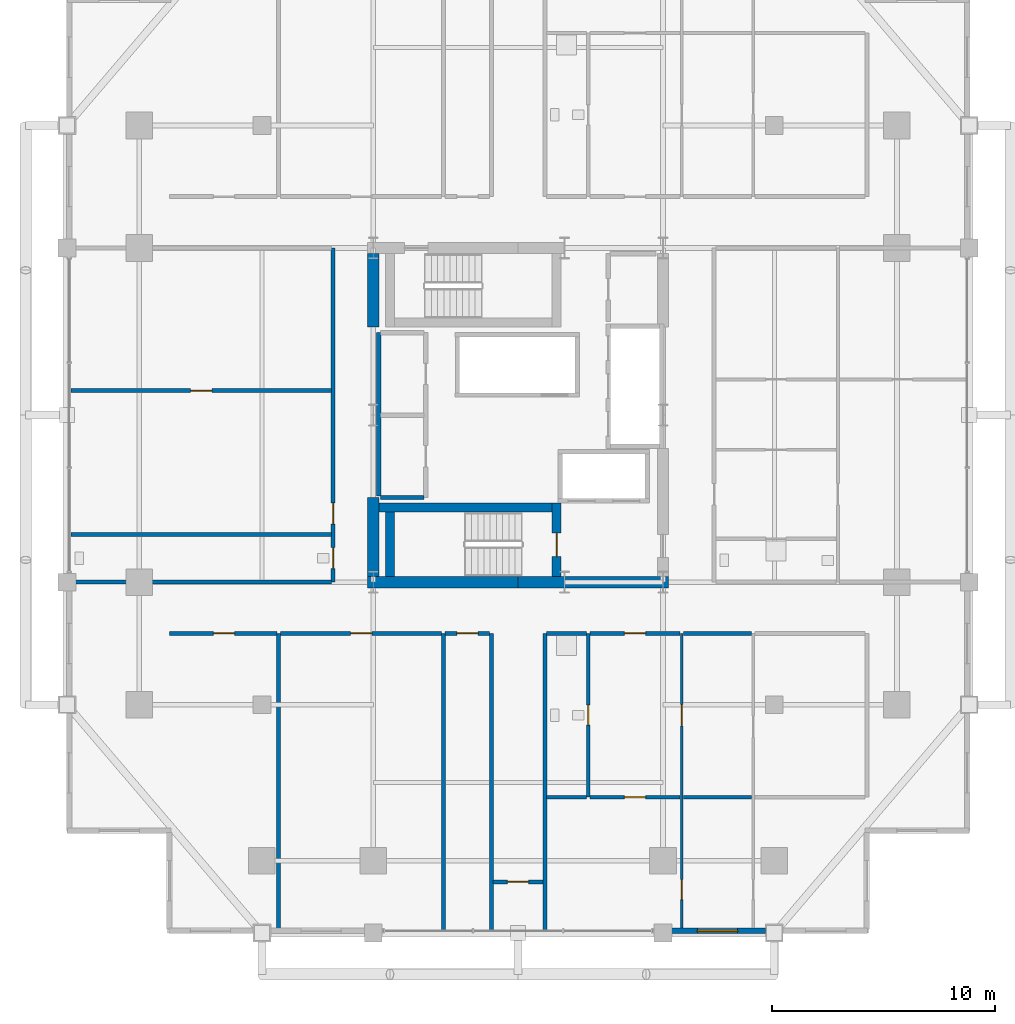
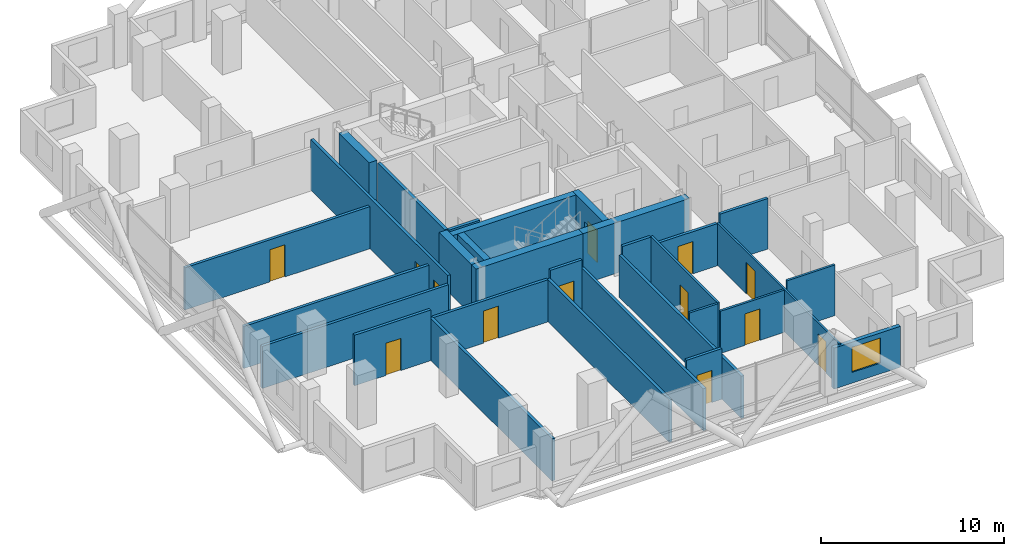
# One storey, part 19 of 24: 30 walls, 13 doors, 1 window, 14 openings.
"""IFC4 building model written with IfcOpenShell, lengths in metres."""

from ifc_helpers import new_model, si_unit, direction, frame, frame_2d, origin, place, context, subcontext, project, spatial, rectangle, extrude, material, layer, layer_set, type_object, element, fill, save


model = new_model("IFC4")

# Units and contexts
model_context = context("Model", 3, precision=1e-05, world=origin(), true_north=direction((0.0, 1.0)))
body_context = subcontext(model_context, "Body", "Model", "MODEL_VIEW")
ifc_project = project(units=[si_unit("LENGTHUNIT", "METRE"), si_unit("AREAUNIT", "SQUARE_METRE"), si_unit("VOLUMEUNIT", "CUBIC_METRE"), si_unit("PLANEANGLEUNIT", "RADIAN"), si_unit("MASSUNIT", "GRAM", prefix="KILO")], contexts=[model_context])

# Site, building, storey
site_placement = place(None, origin())
site = spatial("IfcSite", under=ifc_project, at=site_placement, CompositionType="ELEMENT")
building_placement = place(site_placement, origin())
building = spatial("IfcBuilding", under=site, at=building_placement, Name="Barlavira Tower and Art Museum", CompositionType="ELEMENT")
storey_placement = place(building_placement, frame((0.0, 0.0, 154.800048828125)))
storey = spatial("IfcBuildingStorey", under=building, at=storey_placement, Name="L39", CompositionType="ELEMENT", Elevation=154.800048828125)

# Wall, openings, doors
ifc_material_1 = material(Name="Gypsum acoustic stud partition", Category="gypsum")
ifc_layer_1 = layer(ifc_material_1, 0.1201171875, Name="Gypsum acoustic stud partition")
ifc_layer_set_1 = layer_set([ifc_layer_1], Name="Gypsum acoustic stud partition")
wall_type_1 = type_object("IfcWallType", Name="Apartment Internal Acoustic Partition 120", PredefinedType="PARTITIONING", material=ifc_layer_set_1)
wall_1_placement = place(storey_placement, frame((7.35009765625, -23.14990234375, 0.0), z_axis=(0.0, 0.0, 1.0), x_axis=(0.0, 1.0, 0.0)))
wall_1 = element("IfcWall", 1, at=wall_1_placement, inside=storey, type_object=wall_type_1, Name="L39 Partition Wall 15", PredefinedType="PARTITIONING", context=body_context, shape_type="SweptSolid", body=[
    extrude(rectangle(XDim=13.349853515625, YDim=0.1201171875, at=frame_2d((6.6748046875, 0.0))), origin(), (0.0, 0.0, 1.0), 2.81591796875),
])
opening_1_placement = place(wall_1_placement, frame((9.205078125, 0.0, 0.0)))
opening_1 = element("IfcOpeningElement", 2, at=opening_1_placement, cuts=wall_1, Name="Opening D-02", PredefinedType="OPENING", context=body_context, shape_type="SweptSolid", body=[
    extrude(rectangle(XDim=0.949951171875, YDim=2.10009765625, at=frame_2d((0.47509765625, 1.050048828125))), frame((0.0, 0.070068359375, 0.0), z_axis=(0.0, -1.0, 0.0), x_axis=(1.0, 0.0, 0.0)), (0.0, 0.0, 1.0), 0.14013671875),
])
opening_2_placement = place(wall_1_placement, frame((1.39892578125, 0.0, 0.0)))
opening_2 = element("IfcOpeningElement", 3, at=opening_2_placement, cuts=wall_1, Name="Opening D-01", PredefinedType="OPENING", context=body_context, shape_type="SweptSolid", body=[
    extrude(rectangle(XDim=0.89990234375, YDim=2.10009765625, at=frame_2d((0.449951171875, 1.050048828125))), frame((0.0, 0.070068359375, 0.0), z_axis=(0.0, -1.0, 0.0), x_axis=(1.0, 0.0, 0.0)), (0.0, 0.0, 1.0), 0.14013671875),
])
ifc_material_2 = material(Name="Engineered coastal hardwood", Category="wood")
door_type_1 = type_object("IfcDoorType", Name="Internal Bedroom Timber Flush Door 900x2100", OperationType="NOTDEFINED", PredefinedType="DOOR", material=ifc_material_2)
door_1_placement = place(opening_2_placement, origin())
door_1 = element("IfcDoor", 4, at=door_1_placement, inside=storey, type_object=door_type_1, Name="Apartment SE1 Bedroom 1 Door", OperationType="SINGLE_SWING_RIGHT", OverallHeight=2.10009765625, OverallWidth=0.89990234375, PredefinedType="DOOR", context=body_context, shape_type="SweptSolid", body=[
    extrude(rectangle(XDim=0.89990234375, YDim=2.10009765625, at=frame_2d((0.449951171875, 1.050048828125))), frame((0.0, 0.02490234375, 0.0), z_axis=(0.0, -1.0, 0.0), x_axis=(1.0, 0.0, 0.0)), (0.0, 0.0, 1.0), 0.050048828125),
])
fill(opening_2, door_1)
door_type_2 = type_object("IfcDoorType", Name="Living and Salon Glazed-Leaf Door 950x2100", OperationType="NOTDEFINED", PredefinedType="DOOR", material=ifc_material_2)
door_2_placement = place(opening_1_placement, origin())
door_2 = element("IfcDoor", 5, at=door_2_placement, inside=storey, type_object=door_type_2, Name="Apartment SE1 Kitchen Door", OperationType="SINGLE_SWING_LEFT", OverallHeight=2.10009765625, OverallWidth=0.949951171875, PredefinedType="DOOR", context=body_context, shape_type="SweptSolid", body=[
    extrude(rectangle(XDim=0.949951171875, YDim=2.10009765625, at=frame_2d((0.47509765625, 1.050048828125))), frame((0.0, 0.02490234375, 0.0), z_axis=(0.0, -1.0, 0.0), x_axis=(1.0, 0.0, 0.0)), (0.0, 0.0, 1.0), 0.050048828125),
])
fill(opening_1, door_2)

# Walls
ifc_material_3 = material(Name="Concrete C60", Category="concrete")
ifc_layer_2 = layer(ifc_material_3, 0.5, Name="Concrete C60")
ifc_layer_set_2 = layer_set([ifc_layer_2], Name="Concrete C60")
wall_type_2 = type_object("IfcWallType", Name="Core Structural Shear Wall 500 Concrete C60", PredefinedType="SHEAR", material=ifc_layer_set_2)
for number, where, z_axis, x_axis, name in (
    (6, (-6.75, -7.5, 0.0), (0.0, 0.0, 1.0), (1.0, 0.0, 0.0), "L39 Core Shear Wall CS-SW"),
    (7, (0.0, -7.5, 0.0), (0.0, 0.0, 1.0), (1.0, 0.0, 0.0), "L39 Core Shear Wall CS-SE"),
):
    element("IfcWall", number, at=place(storey_placement, frame(where, z_axis=z_axis, x_axis=x_axis)), inside=storey, type_object=wall_type_2, Name=name, PredefinedType="SHEAR", context=body_context, shape_type="SweptSolid", body=[
        extrude(rectangle(XDim=6.75, YDim=0.5, at=frame_2d((3.375, 0.0))), origin(), (0.0, 0.0, 1.0), 3.3798828125),
    ])
wall_2_placement = place(storey_placement, frame((-6.5, -7.25, 0.0), z_axis=(0.0, 0.0, 1.0), x_axis=(0.0, 1.0, 0.0)))
element("IfcWall", 8, at=wall_2_placement, inside=storey, type_object=wall_type_2, Name="L39 Core Shear Wall CS-W1", PredefinedType="SHEAR", context=body_context, shape_type="SweptSolid", body=[
    extrude(rectangle(XDim=3.550048828125, YDim=0.5, at=frame_2d((1.77490234375, 0.0))), origin(), (0.0, 0.0, 1.0), 3.3798828125),
])
wall_3_placement = place(storey_placement, frame((-6.5, 3.949951171875, 0.0), z_axis=(0.0, 0.0, 1.0), x_axis=(0.0, 1.0, 0.0)))
element("IfcWall", 9, at=wall_3_placement, inside=storey, type_object=wall_type_2, Name="L39 Core Shear Wall CS-W2", PredefinedType="SHEAR", context=body_context, shape_type="SweptSolid", body=[
    extrude(rectangle(XDim=3.300048828125, YDim=0.5, at=frame_2d((1.64990234375, 0.0))), origin(), (0.0, 0.0, 1.0), 3.3798828125),
])
ifc_material_4 = material(Name="Autoclaved aerated concrete masonry", Category="masonry")
ifc_layer_3 = layer(ifc_material_4, 0.199951171875, Name="Autoclaved aerated concrete masonry")
ifc_layer_set_3 = layer_set([ifc_layer_3], Name="Autoclaved aerated concrete masonry")
wall_type_3 = type_object("IfcWallType", Name="Fire Compartment and Shaft Wall 200", PredefinedType="SOLIDWALL", material=ifc_layer_set_3)
wall_4_placement = place(storey_placement, frame((-6.25, -3.639892578125, 0.0), z_axis=(0.0, 0.0, 1.0), x_axis=(0.0, 1.0, 0.0)))
element("IfcWall", 10, at=wall_4_placement, inside=storey, type_object=wall_type_3, Name="L39 Partition Wall 4", PredefinedType="SOLIDWALL", context=body_context, shape_type="SweptSolid", body=[
    extrude(rectangle(XDim=7.33984375, YDim=0.199951171875, at=frame_2d((3.669921875, 0.0))), origin(), (0.0, 0.0, 1.0), 3.3798828125),
])
wall_5_placement = place(storey_placement, frame((-6.169921875, -3.699951171875, 0.0), z_axis=(0.0, 0.0, 1.0), x_axis=(1.0, 0.0, 0.0)))
element("IfcWall", 11, at=wall_5_placement, inside=storey, type_object=wall_type_3, Name="L39 Partition Wall 40", PredefinedType="SOLIDWALL", context=body_context, shape_type="SweptSolid", body=[
    extrude(rectangle(XDim=1.93994140625, YDim=0.199951171875, at=frame_2d((0.969970703125, 0.0))), origin(), (0.0, 0.0, 1.0), 3.3798828125),
])
ifc_layer_4 = layer(ifc_material_1, 0.179931640625, Name="Gypsum acoustic stud partition")
ifc_layer_set_4 = layer_set([ifc_layer_4], Name="Gypsum acoustic stud partition")
wall_type_4 = type_object("IfcWallType", Name="Inter-Tenancy Party Partition Wall 180", PredefinedType="PARTITIONING", material=ifc_layer_set_4)
wall_6_placement = place(storey_placement, frame((-10.75, -23.14990234375, 0.0), z_axis=(0.0, 0.0, 1.0), x_axis=(0.0, 1.0, 0.0)))
element("IfcWall", 12, at=wall_6_placement, inside=storey, type_object=wall_type_4, Name="L39 Partition Wall 1", PredefinedType="PARTITIONING", context=body_context, shape_type="SweptSolid", body=[
    extrude(rectangle(XDim=13.349853515625, YDim=0.179931640625, at=frame_2d((6.6748046875, 0.0))), origin(), (0.0, 0.0, 1.0), 2.81591796875),
])

# Wall, openings, doors
wall_7_placement = place(storey_placement, frame((-8.300048828125, -7.5, 0.0), z_axis=(0.0, 0.0, 1.0), x_axis=(0.0, 1.0, 0.0)))
wall_7 = element("IfcWall", 13, at=wall_7_placement, inside=storey, type_object=wall_type_4, Name="L39 Partition Wall 3", PredefinedType="PARTITIONING", context=body_context, shape_type="SweptSolid", body=[
    extrude(rectangle(XDim=15.0, YDim=0.179931640625, at=frame_2d((7.5, 0.0))), origin(), (0.0, 0.0, 1.0), 3.3798828125),
])
opening_3_placement = place(wall_7_placement, frame((0.60498046875, 0.0, 0.0)))
opening_3 = element("IfcOpeningElement", 14, at=opening_3_placement, cuts=wall_7, Name="Opening FD-60", PredefinedType="OPENING", context=body_context, shape_type="SweptSolid", body=[
    extrude(rectangle(XDim=0.949951171875, YDim=2.14990234375, at=frame_2d((0.47509765625, 1.074951171875))), frame((0.0, 0.10009765625, 0.0), z_axis=(0.0, -1.0, 0.0), x_axis=(1.0, 0.0, 0.0)), (0.0, 0.0, 1.0), 0.199951171875),
])
opening_4_placement = place(wall_7_placement, frame((2.60498046875, 0.0, 0.0)))
opening_4 = element("IfcOpeningElement", 15, at=opening_4_placement, cuts=wall_7, Name="Opening FD-60", PredefinedType="OPENING", context=body_context, shape_type="SweptSolid", body=[
    extrude(rectangle(XDim=0.949951171875, YDim=2.14990234375, at=frame_2d((0.47509765625, 1.074951171875))), frame((0.0, 0.10009765625, 0.0), z_axis=(0.0, -1.0, 0.0), x_axis=(1.0, 0.0, 0.0)), (0.0, 0.0, 1.0), 0.199951171875),
])
ifc_material_5 = material(Name="Brushed stainless steel", Category="steel")
door_type_3 = type_object("IfcDoorType", Name="Apartment Entrance and Riser Fire Door 950x2150 FD60S", OperationType="NOTDEFINED", PredefinedType="DOOR", material=ifc_material_5)
door_3_placement = place(opening_3_placement, origin())
door_3 = element("IfcDoor", 16, at=door_3_placement, inside=storey, type_object=door_type_3, Name="Wellness Changing and Accessible Shower WC Door", OperationType="SINGLE_SWING_LEFT", OverallHeight=2.14990234375, OverallWidth=0.949951171875, PredefinedType="DOOR", context=body_context, shape_type="SweptSolid", body=[
    extrude(rectangle(XDim=0.949951171875, YDim=2.14990234375, at=frame_2d((0.47509765625, 1.074951171875))), frame((0.0, 0.02490234375, 0.0), z_axis=(0.0, -1.0, 0.0), x_axis=(1.0, 0.0, 0.0)), (0.0, 0.0, 1.0), 0.050048828125),
])
fill(opening_3, door_3)
door_4_placement = place(opening_4_placement, origin())
door_4 = element("IfcDoor", 17, at=door_4_placement, inside=storey, type_object=door_type_3, Name="Resident Ocean-View Fitness Studio Door", OperationType="SINGLE_SWING_RIGHT", OverallHeight=2.14990234375, OverallWidth=0.949951171875, PredefinedType="DOOR", context=body_context, shape_type="SweptSolid", body=[
    extrude(rectangle(XDim=0.949951171875, YDim=2.14990234375, at=frame_2d((0.47509765625, 1.074951171875))), frame((0.0, 0.02490234375, 0.0), z_axis=(0.0, -1.0, 0.0), x_axis=(1.0, 0.0, 0.0)), (0.0, 0.0, 1.0), 0.050048828125),
])
fill(opening_4, door_4)

# Walls
for number, where, z_axis, x_axis, name in (
    (18, (-3.35009765625, -23.14990234375, 0.0), (0.0, 0.0, 1.0), (0.0, 1.0, 0.0), "L39 Partition Wall 6"),
    (19, (-1.199951171875, -23.14990234375, 0.0), (0.0, 0.0, 1.0), (0.0, 1.0, 0.0), "L39 Partition Wall 8"),
    (20, (1.199951171875, -23.14990234375, 0.0), (0.0, 0.0, 1.0), (0.0, 1.0, 0.0), "L39 Partition Wall 10"),
):
    element("IfcWall", number, at=place(storey_placement, frame(where, z_axis=z_axis, x_axis=x_axis)), inside=storey, type_object=wall_type_4, Name=name, PredefinedType="PARTITIONING", context=body_context, shape_type="SweptSolid", body=[
        extrude(rectangle(XDim=13.349853515625, YDim=0.179931640625, at=frame_2d((6.6748046875, 0.0))), origin(), (0.0, 0.0, 1.0), 2.81591796875),
    ])

# Wall, opening, door
wall_8_placement = place(storey_placement, frame((-1.1201171875, -20.949951171875, 0.0), z_axis=(0.0, 0.0, 1.0), x_axis=(1.0, 0.0, 0.0)))
wall_8 = element("IfcWall", 21, at=wall_8_placement, inside=storey, type_object=wall_type_4, Name="L39 Partition Wall 23", PredefinedType="PARTITIONING", context=body_context, shape_type="SweptSolid", body=[
    extrude(rectangle(XDim=2.240234375, YDim=0.179931640625, at=frame_2d((1.1201171875, 0.0))), origin(), (0.0, 0.0, 1.0), 3.3798828125),
])
opening_5_placement = place(wall_8_placement, frame((0.64501953125, 0.0, 0.0)))
opening_5 = element("IfcOpeningElement", 22, at=opening_5_placement, cuts=wall_8, Name="Opening FD-60", PredefinedType="OPENING", context=body_context, shape_type="SweptSolid", body=[
    extrude(rectangle(XDim=0.949951171875, YDim=2.14990234375, at=frame_2d((0.47509765625, 1.074951171875))), frame((0.0, 0.10009765625, 0.0), z_axis=(0.0, -1.0, 0.0), x_axis=(1.0, 0.0, 0.0)), (0.0, 0.0, 1.0), 0.199951171875),
])
door_5_placement = place(opening_5_placement, origin())
door_5 = element("IfcDoor", 23, at=door_5_placement, inside=storey, type_object=door_type_3, Name="L39 South Horizon Reading Alcove Door", OperationType="SINGLE_SWING_LEFT", OverallHeight=2.14990234375, OverallWidth=0.949951171875, PredefinedType="DOOR", context=body_context, shape_type="SweptSolid", body=[
    extrude(rectangle(XDim=0.949951171875, YDim=2.14990234375, at=frame_2d((0.47509765625, 1.074951171875))), frame((0.0, 0.02490234375, 0.0), z_axis=(0.0, -1.0, 0.0), x_axis=(1.0, 0.0, 0.0)), (0.0, 0.0, 1.0), 0.050048828125),
])
fill(opening_5, door_5)

wall_9_placement = place(storey_placement, frame((-15.64990234375, -9.800048828125, 0.0), z_axis=(0.0, 0.0, 1.0), x_axis=(1.0, 0.0, 0.0)))
wall_9 = element("IfcWall", 24, at=wall_9_placement, inside=storey, type_object=wall_type_4, Name="L39 Partition Wall 28", PredefinedType="PARTITIONING", context=body_context, shape_type="SweptSolid", body=[
    extrude(rectangle(XDim=4.81982421875, YDim=0.179931640625, at=frame_2d((2.409912109375, 0.0))), origin(), (0.0, 0.0, 1.0), 3.3798828125),
])
opening_6_placement = place(wall_9_placement, frame((1.97509765625, 0.0, 0.0)))
opening_6 = element("IfcOpeningElement", 25, at=opening_6_placement, cuts=wall_9, Name="Opening FD-60", PredefinedType="OPENING", context=body_context, shape_type="SweptSolid", body=[
    extrude(rectangle(XDim=0.949951171875, YDim=2.14990234375, at=frame_2d((0.47509765625, 1.074951171875))), frame((0.0, 0.10009765625, 0.0), z_axis=(0.0, -1.0, 0.0), x_axis=(1.0, 0.0, 0.0)), (0.0, 0.0, 1.0), 0.199951171875),
])
door_6_placement = place(opening_6_placement, origin())
door_6 = element("IfcDoor", 26, at=door_6_placement, inside=storey, type_object=door_type_3, Name="Resident Sky Coworking Studio Door", OperationType="SINGLE_SWING_RIGHT", OverallHeight=2.14990234375, OverallWidth=0.949951171875, PredefinedType="DOOR", context=body_context, shape_type="SweptSolid", body=[
    extrude(rectangle(XDim=0.949951171875, YDim=2.14990234375, at=frame_2d((0.47509765625, 1.074951171875))), frame((0.0, 0.02490234375, 0.0), z_axis=(0.0, -1.0, 0.0), x_axis=(1.0, 0.0, 0.0)), (0.0, 0.0, 1.0), 0.050048828125),
])
fill(opening_6, door_6)

wall_10_placement = place(storey_placement, frame((-10.669921875, -9.800048828125, 0.0), z_axis=(0.0, 0.0, 1.0), x_axis=(1.0, 0.0, 0.0)))
wall_10 = element("IfcWall", 27, at=wall_10_placement, inside=storey, type_object=wall_type_4, Name="L39 Partition Wall 29", PredefinedType="PARTITIONING", context=body_context, shape_type="SweptSolid", body=[
    extrude(rectangle(XDim=7.239990234375, YDim=0.179931640625, at=frame_2d((3.6201171875, 0.0))), origin(), (0.0, 0.0, 1.0), 2.81591796875),
])
opening_7_placement = place(wall_10_placement, frame((3.155029296875, 0.0, 0.0)))
opening_7 = element("IfcOpeningElement", 28, at=opening_7_placement, cuts=wall_10, Name="Opening FD-60", PredefinedType="OPENING", context=body_context, shape_type="SweptSolid", body=[
    extrude(rectangle(XDim=0.949951171875, YDim=2.14990234375, at=frame_2d((0.47509765625, 1.074951171875))), frame((0.0, 0.10009765625, 0.0), z_axis=(0.0, -1.0, 0.0), x_axis=(1.0, 0.0, 0.0)), (0.0, 0.0, 1.0), 0.199951171875),
])
door_7_placement = place(opening_7_placement, origin())
door_7 = element("IfcDoor", 29, at=door_7_placement, inside=storey, type_object=door_type_3, Name="Atlantic Horizon Boardroom Door", OperationType="SINGLE_SWING_LEFT", OverallHeight=2.14990234375, OverallWidth=0.949951171875, PredefinedType="DOOR", context=body_context, shape_type="SweptSolid", body=[
    extrude(rectangle(XDim=0.949951171875, YDim=2.14990234375, at=frame_2d((0.47509765625, 1.074951171875))), frame((0.0, 0.02490234375, 0.0), z_axis=(0.0, -1.0, 0.0), x_axis=(1.0, 0.0, 0.0)), (0.0, 0.0, 1.0), 0.050048828125),
])
fill(opening_7, door_7)

wall_11_placement = place(storey_placement, frame((-3.27001953125, -9.800048828125, 0.0), z_axis=(0.0, 0.0, 1.0), x_axis=(1.0, 0.0, 0.0)))
wall_11 = element("IfcWall", 30, at=wall_11_placement, inside=storey, type_object=wall_type_4, Name="L39 Partition Wall 30", PredefinedType="PARTITIONING", context=body_context, shape_type="SweptSolid", body=[
    extrude(rectangle(XDim=1.989990234375, YDim=0.179931640625, at=frame_2d((0.9951171875, 0.0))), origin(), (0.0, 0.0, 1.0), 3.3798828125),
])
opening_8_placement = place(wall_11_placement, frame((0.52490234375, 0.0, 0.0)))
opening_8 = element("IfcOpeningElement", 31, at=opening_8_placement, cuts=wall_11, Name="Opening FD-60", PredefinedType="OPENING", context=body_context, shape_type="SweptSolid", body=[
    extrude(rectangle(XDim=0.949951171875, YDim=2.14990234375, at=frame_2d((0.47509765625, 1.074951171875))), frame((0.0, 0.10009765625, 0.0), z_axis=(0.0, -1.0, 0.0), x_axis=(1.0, 0.0, 0.0)), (0.0, 0.0, 1.0), 0.199951171875),
])
door_8_placement = place(opening_8_placement, origin())
door_8 = element("IfcDoor", 32, at=door_8_placement, inside=storey, type_object=door_type_3, Name="Shared Coworking Espresso Pantry Door", OperationType="SINGLE_SWING_RIGHT", OverallHeight=2.14990234375, OverallWidth=0.949951171875, PredefinedType="DOOR", context=body_context, shape_type="SweptSolid", body=[
    extrude(rectangle(XDim=0.949951171875, YDim=2.14990234375, at=frame_2d((0.47509765625, 1.074951171875))), frame((0.0, 0.02490234375, 0.0), z_axis=(0.0, -1.0, 0.0), x_axis=(1.0, 0.0, 0.0)), (0.0, 0.0, 1.0), 0.050048828125),
])
fill(opening_8, door_8)

# Wall
wall_12_placement = place(storey_placement, frame((1.280029296875, -9.800048828125, 0.0), z_axis=(0.0, 0.0, 1.0), x_axis=(1.0, 0.0, 0.0)))
element("IfcWall", 33, at=wall_12_placement, inside=storey, type_object=wall_type_4, Name="L39 Partition Wall 31", PredefinedType="PARTITIONING", context=body_context, shape_type="SweptSolid", body=[
    extrude(rectangle(XDim=1.7900390625, YDim=0.179931640625, at=frame_2d((0.89501953125, 0.0))), origin(), (0.0, 0.0, 1.0), 3.3798828125),
])

# Wall, opening, door
wall_13_placement = place(storey_placement, frame((3.22998046875, -9.800048828125, 0.0), z_axis=(0.0, 0.0, 1.0), x_axis=(1.0, 0.0, 0.0)))
wall_13 = element("IfcWall", 34, at=wall_13_placement, inside=storey, type_object=wall_type_4, Name="L39 Partition Wall 32", PredefinedType="PARTITIONING", context=body_context, shape_type="SweptSolid", body=[
    extrude(rectangle(XDim=4.0400390625, YDim=0.179931640625, at=frame_2d((2.02001953125, 0.0))), origin(), (0.0, 0.0, 1.0), 2.81591796875),
])
opening_9_placement = place(wall_13_placement, frame((1.544921875, 0.0, 0.0)))
opening_9 = element("IfcOpeningElement", 35, at=opening_9_placement, cuts=wall_13, Name="Opening FD-60", PredefinedType="OPENING", context=body_context, shape_type="SweptSolid", body=[
    extrude(rectangle(XDim=0.949951171875, YDim=2.14990234375, at=frame_2d((0.47509765625, 1.074951171875))), frame((0.0, 0.10009765625, 0.0), z_axis=(0.0, -1.0, 0.0), x_axis=(1.0, 0.0, 0.0)), (0.0, 0.0, 1.0), 0.199951171875),
])
door_9_placement = place(opening_9_placement, origin())
door_9 = element("IfcDoor", 36, at=door_9_placement, inside=storey, type_object=door_type_3, Name="Apartment Entrance Hall SE1 Door", OperationType="SINGLE_SWING_RIGHT", OverallHeight=2.14990234375, OverallWidth=0.949951171875, PredefinedType="DOOR", context=body_context, shape_type="SweptSolid", body=[
    extrude(rectangle(XDim=0.949951171875, YDim=2.14990234375, at=frame_2d((0.47509765625, 1.074951171875))), frame((0.0, 0.02490234375, 0.0), z_axis=(0.0, -1.0, 0.0), x_axis=(1.0, 0.0, 0.0)), (0.0, 0.0, 1.0), 0.050048828125),
])
fill(opening_9, door_9)

# Walls
wall_14_placement = place(storey_placement, frame((7.429931640625, -9.800048828125, 0.0), z_axis=(0.0, 0.0, 1.0), x_axis=(1.0, 0.0, 0.0)))
element("IfcWall", 37, at=wall_14_placement, inside=storey, type_object=wall_type_4, Name="L39 Partition Wall 33", PredefinedType="PARTITIONING", context=body_context, shape_type="SweptSolid", body=[
    extrude(rectangle(XDim=3.0400390625, YDim=0.179931640625, at=frame_2d((1.52001953125, 0.0))), origin(), (0.0, 0.0, 1.0), 3.3798828125),
])
wall_15_placement = place(storey_placement, frame((-20.14990234375, -7.5, 0.0), z_axis=(0.0, 0.0, 1.0), x_axis=(1.0, 0.0, 0.0)))
element("IfcWall", 38, at=wall_15_placement, inside=storey, type_object=wall_type_4, Name="L39 Partition Wall 35", PredefinedType="PARTITIONING", context=body_context, shape_type="SweptSolid", body=[
    extrude(rectangle(XDim=11.77001953125, YDim=0.179931640625, at=frame_2d((5.885009765625, 0.0))), origin(), (0.0, 0.0, 1.0), 2.81591796875),
])
wall_16_placement = place(storey_placement, frame((-20.070068359375, -5.35009765625, 0.0), z_axis=(0.0, 0.0, 1.0), x_axis=(1.0, 0.0, 0.0)))
element("IfcWall", 39, at=wall_16_placement, inside=storey, type_object=wall_type_4, Name="L39 Partition Wall 39", PredefinedType="PARTITIONING", context=body_context, shape_type="SweptSolid", body=[
    extrude(rectangle(XDim=11.690185546875, YDim=0.179931640625, at=frame_2d((5.84521484375, 0.0))), origin(), (0.0, 0.0, 1.0), 2.81591796875),
])

# Wall, opening, door
wall_17_placement = place(storey_placement, frame((-20.070068359375, 1.10009765625, 0.0), z_axis=(0.0, 0.0, 1.0), x_axis=(1.0, 0.0, 0.0)))
wall_17 = element("IfcWall", 40, at=wall_17_placement, inside=storey, type_object=wall_type_4, Name="L39 Partition Wall 43", PredefinedType="PARTITIONING", context=body_context, shape_type="SweptSolid", body=[
    extrude(rectangle(XDim=11.690185546875, YDim=0.179931640625, at=frame_2d((5.84521484375, 0.0))), origin(), (0.0, 0.0, 1.0), 2.81591796875),
])
opening_10_placement = place(wall_17_placement, frame((5.375, 0.0, 0.0)))
opening_10 = element("IfcOpeningElement", 41, at=opening_10_placement, cuts=wall_17, Name="Opening FD-60", PredefinedType="OPENING", context=body_context, shape_type="SweptSolid", body=[
    extrude(rectangle(XDim=0.949951171875, YDim=2.14990234375, at=frame_2d((0.47509765625, 1.074951171875))), frame((0.0, 0.10009765625, 0.0), z_axis=(0.0, -1.0, 0.0), x_axis=(1.0, 0.0, 0.0)), (0.0, 0.0, 1.0), 0.199951171875),
])
door_10_placement = place(opening_10_placement, origin())
door_10 = element("IfcDoor", 42, at=door_10_placement, inside=storey, type_object=door_type_3, Name="Coastal Hydrotherapy and Yoga Lounge Door", OperationType="SINGLE_SWING_LEFT", OverallHeight=2.14990234375, OverallWidth=0.949951171875, PredefinedType="DOOR", context=body_context, shape_type="SweptSolid", body=[
    extrude(rectangle(XDim=0.949951171875, YDim=2.14990234375, at=frame_2d((0.47509765625, 1.074951171875))), frame((0.0, 0.02490234375, 0.0), z_axis=(0.0, -1.0, 0.0), x_axis=(1.0, 0.0, 0.0)), (0.0, 0.0, 1.0), 0.050048828125),
])
fill(opening_10, door_10)

ifc_layer_5 = layer(ifc_material_1, 0.139892578125, Name="Gypsum acoustic stud partition")
ifc_layer_set_5 = layer_set([ifc_layer_5], Name="Gypsum acoustic stud partition")
wall_type_5 = type_object("IfcWallType", Name="Moisture-Resistant Bathroom Partition 140", PredefinedType="PARTITIONING", material=ifc_layer_set_5)
wall_18_placement = place(storey_placement, frame((3.14990234375, -17.14990234375, 0.0), z_axis=(0.0, 0.0, 1.0), x_axis=(0.0, 1.0, 0.0)))
wall_18 = element("IfcWall", 43, at=wall_18_placement, inside=storey, type_object=wall_type_5, Name="L39 Partition Wall 12", PredefinedType="PARTITIONING", context=body_context, shape_type="SweptSolid", body=[
    extrude(rectangle(XDim=7.349853515625, YDim=0.139892578125, at=frame_2d((3.6748046875, 0.0))), origin(), (0.0, 0.0, 1.0), 3.3798828125),
])
opening_11_placement = place(wall_18_placement, frame((3.22998046875, 0.0, 0.0)))
opening_11 = element("IfcOpeningElement", 44, at=opening_11_placement, cuts=wall_18, Name="Opening D-WC", PredefinedType="OPENING", context=body_context, shape_type="SweptSolid", body=[
    extrude(rectangle(XDim=0.89990234375, YDim=2.10009765625, at=frame_2d((0.449951171875, 1.050048828125))), frame((0.0, 0.080078125, 0.0), z_axis=(0.0, -1.0, 0.0), x_axis=(1.0, 0.0, 0.0)), (0.0, 0.0, 1.0), 0.159912109375),
])
door_type_4 = type_object("IfcDoorType", Name="Accessible Bathroom Flush Door 900x2100", OperationType="NOTDEFINED", PredefinedType="DOOR", material=ifc_material_2)
door_11_placement = place(opening_11_placement, origin())
door_11 = element("IfcDoor", 45, at=door_11_placement, inside=storey, type_object=door_type_4, Name="Apartment SE1 Hall Bathroom Door", OperationType="SINGLE_SWING_LEFT", OverallHeight=2.10009765625, OverallWidth=0.89990234375, PredefinedType="DOOR", context=body_context, shape_type="SweptSolid", body=[
    extrude(rectangle(XDim=0.89990234375, YDim=2.10009765625, at=frame_2d((0.449951171875, 1.050048828125))), frame((0.0, 0.02490234375, 0.0), z_axis=(0.0, -1.0, 0.0), x_axis=(1.0, 0.0, 0.0)), (0.0, 0.0, 1.0), 0.050048828125),
])
fill(opening_11, door_11)

# Wall
wall_19_placement = place(storey_placement, frame((1.280029296875, -17.14990234375, 0.0), z_axis=(0.0, 0.0, 1.0), x_axis=(1.0, 0.0, 0.0)))
element("IfcWall", 46, at=wall_19_placement, inside=storey, type_object=wall_type_5, Name="L39 Partition Wall 24", PredefinedType="PARTITIONING", context=body_context, shape_type="SweptSolid", body=[
    extrude(rectangle(XDim=1.7900390625, YDim=0.139892578125, at=frame_2d((0.89501953125, 0.0))), origin(), (0.0, 0.0, 1.0), 3.3798828125),
])

# Wall, opening, door
wall_20_placement = place(storey_placement, frame((3.22998046875, -17.14990234375, 0.0), z_axis=(0.0, 0.0, 1.0), x_axis=(1.0, 0.0, 0.0)))
wall_20 = element("IfcWall", 47, at=wall_20_placement, inside=storey, type_object=wall_type_5, Name="L39 Partition Wall 25", PredefinedType="PARTITIONING", context=body_context, shape_type="SweptSolid", body=[
    extrude(rectangle(XDim=4.0400390625, YDim=0.139892578125, at=frame_2d((2.02001953125, 0.0))), origin(), (0.0, 0.0, 1.0), 2.81591796875),
])
opening_12_placement = place(wall_20_placement, frame((1.544921875, 0.0, 0.0)))
opening_12 = element("IfcOpeningElement", 48, at=opening_12_placement, cuts=wall_20, Name="Opening D-02", PredefinedType="OPENING", context=body_context, shape_type="SweptSolid", body=[
    extrude(rectangle(XDim=0.949951171875, YDim=2.10009765625, at=frame_2d((0.47509765625, 1.050048828125))), frame((0.0, 0.080078125, 0.0), z_axis=(0.0, -1.0, 0.0), x_axis=(1.0, 0.0, 0.0)), (0.0, 0.0, 1.0), 0.159912109375),
])
door_12_placement = place(opening_12_placement, origin())
door_12 = element("IfcDoor", 49, at=door_12_placement, inside=storey, type_object=door_type_2, Name="Apartment SE1 Living Lounge Door", OperationType="SINGLE_SWING_LEFT", OverallHeight=2.10009765625, OverallWidth=0.949951171875, PredefinedType="DOOR", context=body_context, shape_type="SweptSolid", body=[
    extrude(rectangle(XDim=0.949951171875, YDim=2.10009765625, at=frame_2d((0.47509765625, 1.050048828125))), frame((0.0, 0.02490234375, 0.0), z_axis=(0.0, -1.0, 0.0), x_axis=(1.0, 0.0, 0.0)), (0.0, 0.0, 1.0), 0.050048828125),
])
fill(opening_12, door_12)

# Wall
wall_21_placement = place(storey_placement, frame((7.429931640625, -17.14990234375, 0.0), z_axis=(0.0, 0.0, 1.0), x_axis=(1.0, 0.0, 0.0)))
element("IfcWall", 50, at=wall_21_placement, inside=storey, type_object=wall_type_5, Name="L39 Partition Wall 26", PredefinedType="PARTITIONING", context=body_context, shape_type="SweptSolid", body=[
    extrude(rectangle(XDim=3.0400390625, YDim=0.139892578125, at=frame_2d((1.52001953125, 0.0))), origin(), (0.0, 0.0, 1.0), 3.3798828125),
])

# Wall, opening, window
ifc_material_6 = material(Name="Precast concrete C40", Category="concrete")
ifc_layer_6 = layer(ifc_material_6, 0.25, Name="Precast concrete C40")
ifc_layer_set_6 = layer_set([ifc_layer_6], Name="Precast concrete C40")
wall_type_6 = type_object("IfcWallType", Name="Notched Corner Spandrel Wall 250 Precast Concrete C40", PredefinedType="SOLIDWALL", material=ifc_layer_set_6)
wall_22_placement = place(storey_placement, frame((6.89501953125, -23.14990234375, 0.0), z_axis=(0.0, 0.0, 1.0), x_axis=(1.0, 0.0, 0.0)))
wall_22 = element("IfcWall", 51, at=wall_22_placement, inside=storey, type_object=wall_type_6, Name="L39 Coastal Facade Pier Wall CW2-L39-S-4", PredefinedType="SOLIDWALL", context=body_context, shape_type="SweptSolid", body=[
    extrude(rectangle(XDim=4.2099609375, YDim=0.25, at=frame_2d((2.10498046875, 0.0))), origin(), (0.0, 0.0, 1.0), 2.73583984375),
])
opening_13_placement = place(wall_22_placement, frame((1.155029296875, 0.0, 0.719970703125)))
opening_13 = element("IfcOpeningElement", 52, at=opening_13_placement, cuts=wall_22, Name="Opening WN-01", PredefinedType="OPENING", context=body_context, shape_type="SweptSolid", body=[
    extrude(rectangle(XDim=1.800048828125, YDim=1.679931640625, at=frame_2d((0.89990234375, 0.83984375))), frame((0.0, 0.135009765625, 0.0), z_axis=(0.0, -1.0, 0.0), x_axis=(1.0, 0.0, 0.0)), (0.0, 0.0, 1.0), 0.27001953125),
])
ifc_material_7 = material(Name="Low-iron coastal laminated glass", Category="glass")
window_type = type_object("IfcWindowType", Name="Recessed Notch Corner Punch Window 1800x1680", PartitioningType="SINGLE_PANEL", PredefinedType="WINDOW", material=ifc_material_7)
window_placement = place(opening_13_placement, origin())
window = element("IfcWindow", 53, at=window_placement, inside=storey, type_object=window_type, Name="L39 Punched Facade Window EWP-CW2-L39-S-4-1", OverallHeight=1.679931640625, OverallWidth=1.800048828125, PartitioningType="SINGLE_PANEL", PredefinedType="WINDOW", context=body_context, shape_type="SweptSolid", body=[
    extrude(rectangle(XDim=1.800048828125, YDim=1.679931640625, at=frame_2d((0.89990234375, 0.83984375))), frame((0.0, 0.030029296875, 0.0), z_axis=(0.0, -1.0, 0.0), x_axis=(1.0, 0.0, 0.0)), (0.0, 0.0, 1.0), 0.06005859375),
])
fill(opening_13, window)

# Walls
ifc_material_8 = material(Name="Concrete C55", Category="concrete")
ifc_layer_7 = layer(ifc_material_8, 0.39990234375, Name="Concrete C55")
ifc_layer_set_7 = layer_set([ifc_layer_7], Name="Concrete C55")
wall_type_7 = type_object("IfcWallType", Name="Upper Core Shear Wall 400 Concrete C55", PredefinedType="SHEAR", material=ifc_layer_set_7)
wall_23_placement = place(storey_placement, frame((-5.75, -7.25, 0.0), z_axis=(0.0, 0.0, 1.0), x_axis=(0.0, 1.0, 0.0)))
element("IfcWall", 54, at=wall_23_placement, inside=storey, type_object=wall_type_7, Name="L39 ST-T1 West Half-Landing Wall", PredefinedType="SHEAR", context=body_context, shape_type="SweptSolid", body=[
    extrude(rectangle(XDim=2.89990234375, YDim=0.39990234375, at=frame_2d((1.449951171875, 0.0))), origin(), (0.0, 0.0, 1.0), 3.3798828125),
])
wall_24_placement = place(storey_placement, frame((-6.25, -4.14990234375, 0.0), z_axis=(0.0, 0.0, 1.0), x_axis=(1.0, 0.0, 0.0)))
element("IfcWall", 55, at=wall_24_placement, inside=storey, type_object=wall_type_7, Name="L39 ST-T1 North Shaft Wall", PredefinedType="SHEAR", context=body_context, shape_type="SweptSolid", body=[
    extrude(rectangle(XDim=7.780029296875, YDim=0.39990234375, at=frame_2d((3.89013671875, 0.0))), origin(), (0.0, 0.0, 1.0), 3.3798828125),
])

# Wall, opening, door
wall_25_placement = place(storey_placement, frame((1.72998046875, -7.25, 0.0), z_axis=(0.0, 0.0, 1.0), x_axis=(0.0, 1.0, 0.0)))
wall_25 = element("IfcWall", 56, at=wall_25_placement, inside=storey, type_object=wall_type_7, Name="L39 ST-T1 East Landing Wall", PredefinedType="SHEAR", context=body_context, shape_type="SweptSolid", body=[
    extrude(rectangle(XDim=3.300048828125, YDim=0.39990234375, at=frame_2d((1.64990234375, 0.0))), origin(), (0.0, 0.0, 1.0), 3.3798828125),
])
opening_14_placement = place(wall_25_placement, frame((0.89990234375, 0.0, 0.0)))
opening_14 = element("IfcOpeningElement", 57, at=opening_14_placement, cuts=wall_25, Name="Opening FD-90", PredefinedType="OPENING", context=body_context, shape_type="SweptSolid", body=[
    extrude(rectangle(XDim=1.050048828125, YDim=2.14990234375, at=frame_2d((0.52490234375, 1.074951171875))), frame((0.0, 0.2099609375, 0.0), z_axis=(0.0, -1.0, 0.0), x_axis=(1.0, 0.0, 0.0)), (0.0, 0.0, 1.0), 0.419921875),
])
door_type_5 = type_object("IfcDoorType", Name="Stair and Refuge Fire Door 1050x2150 FD90S", OperationType="NOTDEFINED", PredefinedType="DOOR", material=ifc_material_5)
door_13_placement = place(opening_14_placement, origin())
door_13 = element("IfcDoor", 58, at=door_13_placement, inside=storey, type_object=door_type_5, Name="L39 Stair ST-T1 Fire Door", OperationType="SINGLE_SWING_RIGHT", OverallHeight=2.14990234375, OverallWidth=1.050048828125, PredefinedType="DOOR", context=body_context, shape_type="SweptSolid", body=[
    extrude(rectangle(XDim=1.050048828125, YDim=2.14990234375, at=frame_2d((0.52490234375, 1.074951171875))), frame((0.0, 0.02490234375, 0.0), z_axis=(0.0, -1.0, 0.0), x_axis=(1.0, 0.0, 0.0)), (0.0, 0.0, 1.0), 0.050048828125),
])
fill(opening_14, door_13)

save(model, "model.ifc")
